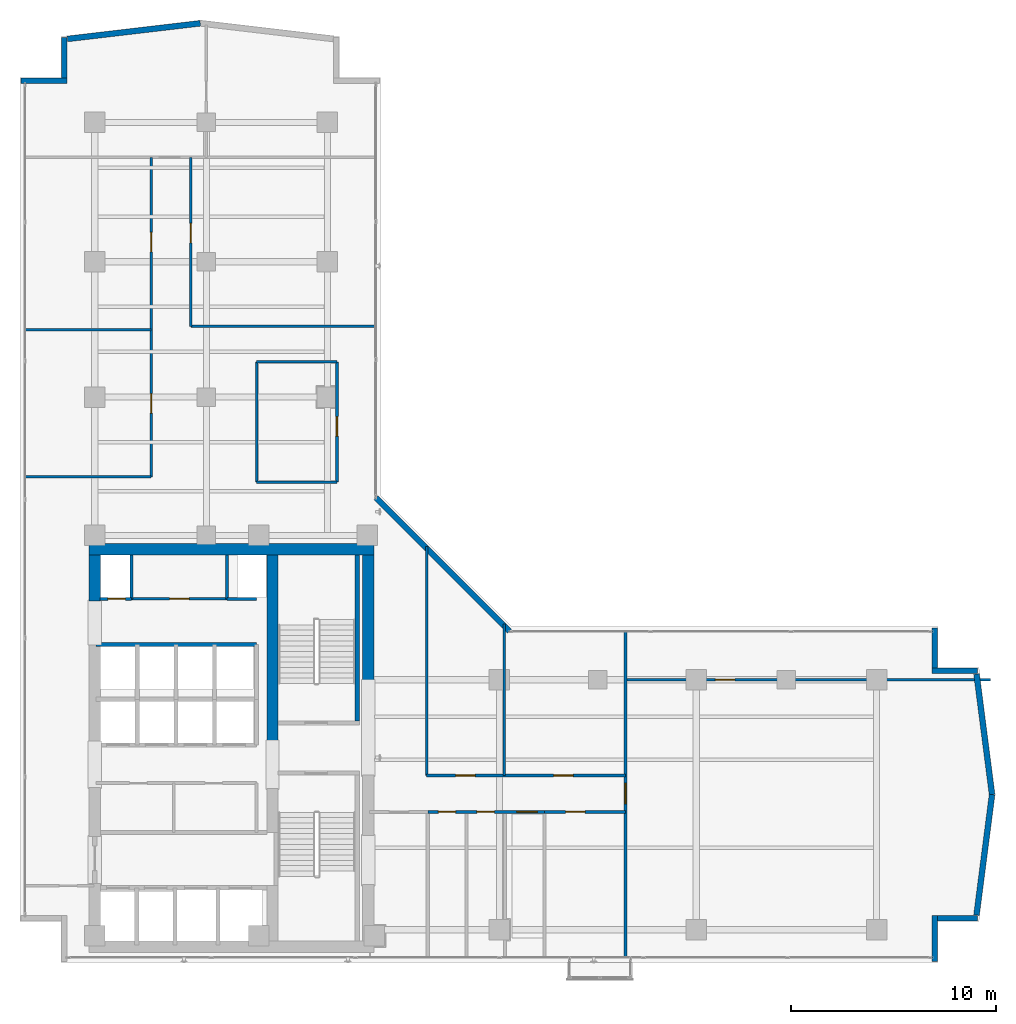
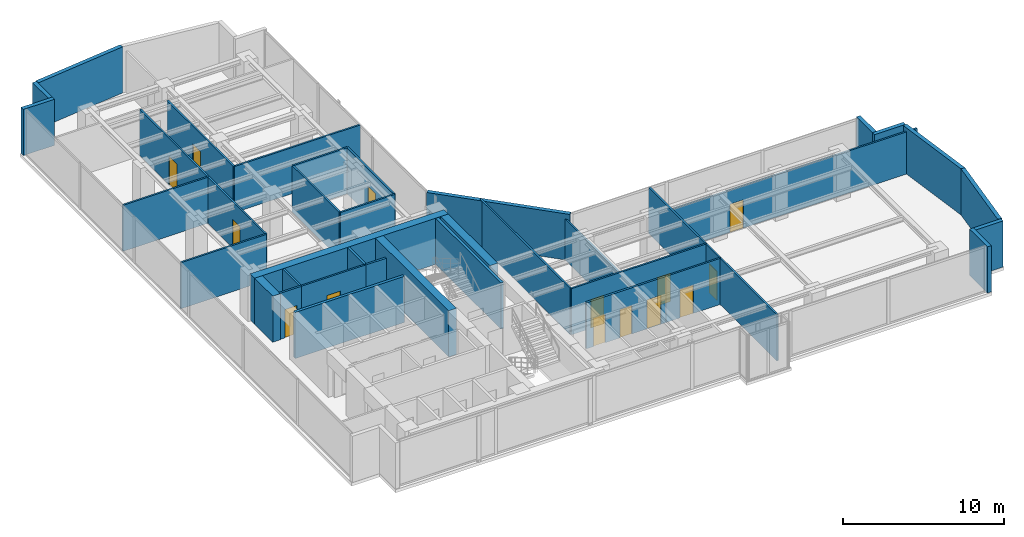
# One storey, part 18 of 22: 37 walls, 14 doors, 14 openings.
"""IFC4 building model written with IfcOpenShell, lengths in metres."""

from ifc_helpers import new_model, si_unit, direction, frame, frame_2d, origin, place, context, subcontext, project, spatial, rectangle, extrude, material, layer, layer_set, type_object, element, fill, save


model = new_model("IFC4")

# Units and contexts
model_context = context("Model", 3, precision=1e-05, world=origin(), true_north=direction((0.0, 1.0)))
body_context = subcontext(model_context, "Body", "Model", "MODEL_VIEW")
ifc_project = project(units=[si_unit("LENGTHUNIT", "METRE"), si_unit("AREAUNIT", "SQUARE_METRE"), si_unit("VOLUMEUNIT", "CUBIC_METRE"), si_unit("PLANEANGLEUNIT", "RADIAN"), si_unit("MASSUNIT", "GRAM", prefix="KILO")], contexts=[model_context])

# Site, building, storey
site_placement = place(None, origin())
site = spatial("IfcSite", under=ifc_project, at=site_placement, CompositionType="ELEMENT")
building_placement = place(site_placement, origin())
building = spatial("IfcBuilding", under=site, at=building_placement, Name="Kolvaren Waterfront Exchange", CompositionType="ELEMENT")
storey_placement = place(building_placement, frame((0.0, 0.0, 219.699951171875)))
storey = spatial("IfcBuildingStorey", under=building, at=storey_placement, Name="L56", CompositionType="ELEMENT", Elevation=219.699951171875)

# Walls
ifc_material_1 = material(Name="Precast concrete C40/50", Category="concrete")
ifc_layer_1 = layer(ifc_material_1, 0.280029296875, Name="Precast concrete C40/50")
ifc_layer_set_1 = layer_set([ifc_layer_1], Name="Precast concrete C40/50")
wall_type_1 = type_object("IfcWallType", Name="ARC-EXT-TERR-280", PredefinedType="SOLIDWALL", material=ifc_layer_set_1)
wall_1_placement = place(storey_placement, frame((48.43994140625, 3.659912109375, 0.0), z_axis=(0.0, 0.0, 1.0), x_axis=(0.0, 1.0, 0.0)))
element("IfcWall", 1, at=wall_1_placement, inside=storey, type_object=wall_type_1, Name="L56 notched corner spandrel pier SE-A", PredefinedType="SOLIDWALL", context=body_context, shape_type="SweptSolid", body=[
    extrude(rectangle(XDim=2.239990234375, YDim=0.280029296875, at=frame_2d((1.1201171875, 0.0))), origin(), (0.0, 0.0, 1.0), 3.5),
])
wall_2_placement = place(storey_placement, frame((48.580078125, 5.760009765625, 0.0), z_axis=(0.0, 0.0, 1.0), x_axis=(1.0, 0.0, 0.0)))
element("IfcWall", 2, at=wall_2_placement, inside=storey, type_object=wall_type_1, Name="L56 notched corner spandrel pier SE-B", PredefinedType="SOLIDWALL", context=body_context, shape_type="SweptSolid", body=[
    extrude(rectangle(XDim=1.9599609375, YDim=0.280029296875, at=frame_2d((0.97998046875, 0.0))), origin(), (0.0, 0.0, 1.0), 3.5),
])
wall_3_placement = place(storey_placement, frame((48.43994140625, 17.965087890625, 0.0), z_axis=(0.0, 0.0, 1.0), x_axis=(0.0, 1.0, 0.0)))
element("IfcWall", 3, at=wall_3_placement, inside=storey, type_object=wall_type_1, Name="L56 notched corner spandrel pier ENE-A", PredefinedType="SOLIDWALL", context=body_context, shape_type="SweptSolid", body=[
    extrude(rectangle(XDim=1.974853515625, YDim=0.280029296875, at=frame_2d((0.9873046875, 0.0))), origin(), (0.0, 0.0, 1.0), 3.5),
])
for number, where, z_axis, x_axis, name in (
    (4, (48.300048828125, 17.840087890625, 0.0), (0.0, 0.0, 1.0), (1.0, 0.0, 0.0), "L56 notched corner spandrel pier ENE-B"),
    (5, (3.860107421875, 46.639892578125, 0.0), (0.0, 0.0, 1.0), (1.0, 0.0, 0.0), "L56 notched corner spandrel pier NW-A"),
):
    element("IfcWall", number, at=place(storey_placement, frame(where, z_axis=z_axis, x_axis=x_axis)), inside=storey, type_object=wall_type_1, Name=name, PredefinedType="SOLIDWALL", context=body_context, shape_type="SweptSolid", body=[
        extrude(rectangle(XDim=2.239990234375, YDim=0.280029296875, at=frame_2d((1.1201171875, 0.0))), origin(), (0.0, 0.0, 1.0), 3.5),
    ])
wall_4_placement = place(storey_placement, frame((5.9599609375, 46.780029296875, 0.0), z_axis=(0.0, 0.0, 1.0), x_axis=(0.0, 1.0, 0.0)))
element("IfcWall", 6, at=wall_4_placement, inside=storey, type_object=wall_type_1, Name="L56 notched corner spandrel pier NW-B", PredefinedType="SOLIDWALL", context=body_context, shape_type="SweptSolid", body=[
    extrude(rectangle(XDim=1.9599609375, YDim=0.280029296875, at=frame_2d((0.97998046875, 0.0))), origin(), (0.0, 0.0, 1.0), 3.5),
])
wall_5_placement = place(storey_placement, frame((27.68505859375, 19.77490234375, 0.0), z_axis=(0.0, 0.0, 1.0), x_axis=(-0.707106781187, 0.707106781187, 0.0)))
element("IfcWall", 7, at=wall_5_placement, inside=storey, type_object=wall_type_1, Name="L56 notched corner spandrel pier ELBOW", PredefinedType="SOLIDWALL", context=body_context, shape_type="SweptSolid", body=[
    extrude(rectangle(XDim=9.20654296875, YDim=0.280029296875, at=frame_2d((4.603271484375, 0.0))), origin(), (0.0, 0.0, 1.0), 3.5),
])
for number, where, z_axis, x_axis, name in (
    (8, (50.479736328125, 5.91796875, 0.0), (0.0, 0.0, 1.0), (0.127970031595, 0.991778035154, 0.0), "L56 east prow faceted facade wall 1"),
    (9, (51.23876953125, 11.79931640625, 0.0), (0.0, 0.0, 1.0), (-0.127970031595, 0.991778035154, 0.0), "L56 east prow faceted facade wall 2"),
):
    element("IfcWall", number, at=place(storey_placement, frame(where, z_axis=z_axis, x_axis=x_axis)), inside=storey, type_object=wall_type_1, Name=name, PredefinedType="SOLIDWALL", context=body_context, shape_type="SweptSolid", body=[
        extrude(rectangle(XDim=5.931396484375, YDim=0.280029296875, at=frame_2d((2.9658203125, 0.0))), origin(), (0.0, 0.0, 1.0), 3.5),
    ])
wall_6_placement = place(storey_placement, frame((12.598876953125, 49.438720703125, 0.0), z_axis=(0.0, 0.0, 1.0), x_axis=(-0.993149072278, -0.11685426921, 0.0)))
element("IfcWall", 10, at=wall_6_placement, inside=storey, type_object=wall_type_1, Name="L56 north prow faceted facade wall 2", PredefinedType="SOLIDWALL", context=body_context, shape_type="SweptSolid", body=[
    extrude(rectangle(XDim=6.52685546875, YDim=0.280029296875, at=frame_2d((3.263427734375, 0.0))), origin(), (0.0, 0.0, 1.0), 3.5),
])

# Wall, opening, door
ifc_material_2 = material(Name="Acoustic gypsum steel stud", Category="steel")
ifc_layer_2 = layer(ifc_material_2, 0.125, Name="Acoustic gypsum steel stud")
ifc_layer_set_2 = layer_set([ifc_layer_2], Name="Acoustic gypsum steel stud")
wall_type_2 = type_object("IfcWallType", Name="ARC-PART-125", PredefinedType="PARTITIONING", material=ifc_layer_set_2)
wall_7_placement = place(storey_placement, frame((9.25, 21.35009765625, 0.0), z_axis=(0.0, 0.0, 1.0), x_axis=(1.0, 0.0, 0.0)))
wall_7 = element("IfcWall", 11, at=wall_7_placement, inside=storey, type_object=wall_type_2, Name="L56 interior wall PW-L56-SVC-EX-S", PredefinedType="PARTITIONING", context=body_context, shape_type="SweptSolid", body=[
    extrude(rectangle(XDim=4.64990234375, YDim=0.125, at=frame_2d((2.324951171875, 0.0))), origin(), (0.0, 0.0, 1.0), 3.5),
])
opening_1_placement = place(wall_7_placement, frame((1.85009765625, 0.0, 0.0)))
opening_1 = element("IfcOpeningElement", 12, at=opening_1_placement, cuts=wall_7, Name="Opening D02", PredefinedType="OPENING", context=body_context, shape_type="SweptSolid", body=[
    extrude(rectangle(XDim=0.949951171875, YDim=2.14990234375, at=frame_2d((0.47509765625, 1.074951171875))), frame((0.0, 0.072509765625, 0.0), z_axis=(0.0, -1.0, 0.0), x_axis=(1.0, 0.0, 0.0)), (0.0, 0.0, 1.0), 0.14501953125),
])
ifc_material_3 = material(Name="Oak veneer acoustic timber", Category="wood")
door_type_1 = type_object("IfcDoorType", Name="ARC-DR-950", OperationType="NOTDEFINED", PredefinedType="DOOR", material=ifc_material_3)
door_1_placement = place(opening_1_placement, origin())
door_1 = element("IfcDoor", 13, at=door_1_placement, inside=storey, type_object=door_type_1, Name="L56 door DR-L56-SVC-DR-1 (D02)", OperationType="SINGLE_SWING_LEFT", OverallHeight=2.14990234375, OverallWidth=0.949951171875, PredefinedType="DOOR", context=body_context, shape_type="SweptSolid", body=[
    extrude(rectangle(XDim=0.949951171875, YDim=2.14990234375, at=frame_2d((0.47509765625, 1.074951171875))), frame((0.0, 0.02490234375, 0.0), z_axis=(0.0, -1.0, 0.0), x_axis=(1.0, 0.0, 0.0)), (0.0, 0.0, 1.0), 0.050048828125),
])
fill(opening_1, door_1)

# Walls
for number, where, z_axis, x_axis, name in (
    (14, (15.35009765625, 27.050048828125, 0.0), (0.0, 0.0, 1.0), (1.0, 0.0, 0.0), "L56 interior wall PW-L56-ISL-S"),
    (15, (15.35009765625, 32.919921875, 0.0), (0.0, 0.0, 1.0), (1.0, 0.0, 0.0), "L56 interior wall PW-L56-ISL-N"),
):
    element("IfcWall", number, at=place(storey_placement, frame(where, z_axis=z_axis, x_axis=x_axis)), inside=storey, type_object=wall_type_2, Name=name, PredefinedType="PARTITIONING", context=body_context, shape_type="SweptSolid", body=[
        extrude(rectangle(XDim=3.919921875, YDim=0.125, at=frame_2d((1.9599609375, 0.0))), origin(), (0.0, 0.0, 1.0), 3.5),
    ])
wall_8_placement = place(storey_placement, frame((15.35009765625, 27.050048828125, 0.0), z_axis=(0.0, 0.0, 1.0), x_axis=(0.0, 1.0, 0.0)))
element("IfcWall", 16, at=wall_8_placement, inside=storey, type_object=wall_type_2, Name="L56 interior wall PW-L56-ISL-W", PredefinedType="PARTITIONING", context=body_context, shape_type="SweptSolid", body=[
    extrude(rectangle(XDim=5.869873046875, YDim=0.125, at=frame_2d((2.93505859375, 0.0))), origin(), (0.0, 0.0, 1.0), 3.5),
])

# Wall, opening, door
wall_9_placement = place(storey_placement, frame((19.27001953125, 27.050048828125, 0.0), z_axis=(0.0, 0.0, 1.0), x_axis=(0.0, 1.0, 0.0)))
wall_9 = element("IfcWall", 17, at=wall_9_placement, inside=storey, type_object=wall_type_2, Name="L56 interior wall PW-L56-ISL-E", PredefinedType="PARTITIONING", context=body_context, shape_type="SweptSolid", body=[
    extrude(rectangle(XDim=5.869873046875, YDim=0.125, at=frame_2d((2.93505859375, 0.0))), origin(), (0.0, 0.0, 1.0), 3.5),
])
opening_2_placement = place(wall_9_placement, frame((2.247802734375, 0.0, 0.0)))
opening_2 = element("IfcOpeningElement", 18, at=opening_2_placement, cuts=wall_9, Name="Opening D02", PredefinedType="OPENING", context=body_context, shape_type="SweptSolid", body=[
    extrude(rectangle(XDim=0.949951171875, YDim=2.14990234375, at=frame_2d((0.47509765625, 1.074951171875))), frame((0.0, 0.072509765625, 0.0), z_axis=(0.0, -1.0, 0.0), x_axis=(1.0, 0.0, 0.0)), (0.0, 0.0, 1.0), 0.14501953125),
])
door_2_placement = place(opening_2_placement, origin())
door_2 = element("IfcDoor", 19, at=door_2_placement, inside=storey, type_object=door_type_1, Name="L56 door DR-L56-ISL-D (D02)", OperationType="SINGLE_SWING_RIGHT", OverallHeight=2.14990234375, OverallWidth=0.949951171875, PredefinedType="DOOR", context=body_context, shape_type="SweptSolid", body=[
    extrude(rectangle(XDim=0.949951171875, YDim=2.14990234375, at=frame_2d((0.47509765625, 1.074951171875))), frame((0.0, 0.02490234375, 0.0), z_axis=(0.0, -1.0, 0.0), x_axis=(1.0, 0.0, 0.0)), (0.0, 0.0, 1.0), 0.050048828125),
])
fill(opening_2, door_2)

wall_10_placement = place(storey_placement, frame((29.39990234375, 10.949951171875, 0.0), z_axis=(0.0, 0.0, 1.0), x_axis=(1.0, 0.0, 0.0)))
wall_10 = element("IfcWall", 20, at=wall_10_placement, inside=storey, type_object=wall_type_2, Name="L56 interior wall PW-L56-ES-CORR", PredefinedType="PARTITIONING", context=body_context, shape_type="SweptSolid", body=[
    extrude(rectangle(XDim=3.9501953125, YDim=0.125, at=frame_2d((1.97509765625, 0.0))), origin(), (0.0, 0.0, 1.0), 3.5),
])
opening_3_placement = place(wall_10_placement, frame((1.02490234375, 0.0, 0.0)))
opening_3 = element("IfcOpeningElement", 21, at=opening_3_placement, cuts=wall_10, Name="Opening D02", PredefinedType="OPENING", context=body_context, shape_type="SweptSolid", body=[
    extrude(rectangle(XDim=0.949951171875, YDim=2.14990234375, at=frame_2d((0.47509765625, 1.074951171875))), frame((0.0, 0.072509765625, 0.0), z_axis=(0.0, -1.0, 0.0), x_axis=(1.0, 0.0, 0.0)), (0.0, 0.0, 1.0), 0.14501953125),
])
door_3_placement = place(opening_3_placement, origin())
door_3 = element("IfcDoor", 22, at=door_3_placement, inside=storey, type_object=door_type_1, Name="L56 door DR-L56-ES-D-1 (D02)", OperationType="SINGLE_SWING_RIGHT", OverallHeight=2.14990234375, OverallWidth=0.949951171875, PredefinedType="DOOR", context=body_context, shape_type="SweptSolid", body=[
    extrude(rectangle(XDim=0.949951171875, YDim=2.14990234375, at=frame_2d((0.47509765625, 1.074951171875))), frame((0.0, 0.02490234375, 0.0), z_axis=(0.0, -1.0, 0.0), x_axis=(1.0, 0.0, 0.0)), (0.0, 0.0, 1.0), 0.050048828125),
])
fill(opening_3, door_3)

wall_11_placement = place(storey_placement, frame((33.35009765625, 3.840087890625, 0.0), z_axis=(0.0, 0.0, 1.0), x_axis=(0.0, 1.0, 0.0)))
wall_11 = element("IfcWall", 23, at=wall_11_placement, inside=storey, type_object=wall_type_2, Name="L56 interior wall PW-L56-ETIP-W", PredefinedType="PARTITIONING", context=body_context, shape_type="SweptSolid", body=[
    extrude(rectangle(XDim=15.919921875, YDim=0.125, at=frame_2d((7.9599609375, 0.0))), origin(), (0.0, 0.0, 1.0), 3.5),
])
opening_4_placement = place(wall_11_placement, frame((7.5, 0.0, 0.0)))
opening_4 = element("IfcOpeningElement", 24, at=opening_4_placement, cuts=wall_11, Name="Opening D03", PredefinedType="OPENING", context=body_context, shape_type="SweptSolid", body=[
    extrude(rectangle(XDim=1.0, YDim=2.199951171875, at=frame_2d((0.5, 1.10009765625))), frame((0.0, 0.072509765625, 0.0), z_axis=(0.0, -1.0, 0.0), x_axis=(1.0, 0.0, 0.0)), (0.0, 0.0, 1.0), 0.14501953125),
])
ifc_material_4 = material(Name="Oak veneer accessible timber", Category="wood")
door_type_2 = type_object("IfcDoorType", Name="ARC-DR-1000", OperationType="NOTDEFINED", PredefinedType="DOOR", material=ifc_material_4)
door_4_placement = place(opening_4_placement, origin())
door_4 = element("IfcDoor", 25, at=door_4_placement, inside=storey, type_object=door_type_2, Name="L56 door DR-L56-ETIP1-D (D03)", OperationType="SINGLE_SWING_LEFT", OverallHeight=2.199951171875, OverallWidth=1.0, PredefinedType="DOOR", context=body_context, shape_type="SweptSolid", body=[
    extrude(rectangle(XDim=1.0, YDim=2.199951171875, at=frame_2d((0.5, 1.10009765625))), frame((0.0, 0.02490234375, 0.0), z_axis=(0.0, -1.0, 0.0), x_axis=(1.0, 0.0, 0.0)), (0.0, 0.0, 1.0), 0.050048828125),
])
fill(opening_4, door_4)

wall_12_placement = place(storey_placement, frame((33.35009765625, 17.39990234375, 0.0), z_axis=(0.0, 0.0, 1.0), x_axis=(1.0, 0.0, 0.0)))
wall_12 = element("IfcWall", 26, at=wall_12_placement, inside=storey, type_object=wall_type_2, Name="L56 interior wall PW-L56-ETIP-MID", PredefinedType="PARTITIONING", context=body_context, shape_type="SweptSolid", body=[
    extrude(rectangle(XDim=17.809814453125, YDim=0.125, at=frame_2d((8.90478515625, 0.0))), origin(), (0.0, 0.0, 1.0), 3.199951171875),
])
opening_5_placement = place(wall_12_placement, frame((4.387451171875, 0.0, 0.0)))
opening_5 = element("IfcOpeningElement", 27, at=opening_5_placement, cuts=wall_12, Name="Opening D02", PredefinedType="OPENING", context=body_context, shape_type="SweptSolid", body=[
    extrude(rectangle(XDim=0.949951171875, YDim=2.14990234375, at=frame_2d((0.47509765625, 1.074951171875))), frame((0.0, 0.072509765625, 0.0), z_axis=(0.0, -1.0, 0.0), x_axis=(1.0, 0.0, 0.0)), (0.0, 0.0, 1.0), 0.14501953125),
])
door_5_placement = place(opening_5_placement, origin())
door_5 = element("IfcDoor", 28, at=door_5_placement, inside=storey, type_object=door_type_1, Name="L56 door DR-L56-ETIP2-D (D02)", OperationType="SINGLE_SWING_RIGHT", OverallHeight=2.14990234375, OverallWidth=0.949951171875, PredefinedType="DOOR", context=body_context, shape_type="SweptSolid", body=[
    extrude(rectangle(XDim=0.949951171875, YDim=2.14990234375, at=frame_2d((0.47509765625, 1.074951171875))), frame((0.0, 0.02490234375, 0.0), z_axis=(0.0, -1.0, 0.0), x_axis=(1.0, 0.0, 0.0)), (0.0, 0.0, 1.0), 0.050048828125),
])
fill(opening_5, door_5)

# Wall
wall_13_placement = place(storey_placement, frame((23.64990234375, 12.72998046875, 0.0), z_axis=(0.0, 0.0, 1.0), x_axis=(0.0, 1.0, 0.0)))
element("IfcWall", 29, at=wall_13_placement, inside=storey, type_object=wall_type_2, Name="L56 interior wall PW-L56-EN-W0", PredefinedType="PARTITIONING", context=body_context, shape_type="SweptSolid", body=[
    extrude(rectangle(XDim=11.179931640625, YDim=0.125, at=frame_2d((5.58984375, 0.0))), origin(), (0.0, 0.0, 1.0), 3.5),
])

# Wall, openings, doors
wall_14_placement = place(storey_placement, frame((23.64990234375, 12.72998046875, 0.0), z_axis=(0.0, 0.0, 1.0), x_axis=(1.0, 0.0, 0.0)))
wall_14 = element("IfcWall", 30, at=wall_14_placement, inside=storey, type_object=wall_type_2, Name="L56 interior wall PW-L56-EN-CORR", PredefinedType="PARTITIONING", context=body_context, shape_type="SweptSolid", body=[
    extrude(rectangle(XDim=9.7001953125, YDim=0.125, at=frame_2d((4.85009765625, 0.0))), origin(), (0.0, 0.0, 1.0), 3.5),
])
opening_6_placement = place(wall_14_placement, frame((1.4150390625, 0.0, 0.0)))
opening_6 = element("IfcOpeningElement", 31, at=opening_6_placement, cuts=wall_14, Name="Opening D02", PredefinedType="OPENING", context=body_context, shape_type="SweptSolid", body=[
    extrude(rectangle(XDim=0.949951171875, YDim=2.14990234375, at=frame_2d((0.47509765625, 1.074951171875))), frame((0.0, 0.072509765625, 0.0), z_axis=(0.0, -1.0, 0.0), x_axis=(1.0, 0.0, 0.0)), (0.0, 0.0, 1.0), 0.14501953125),
])
opening_7_placement = place(wall_14_placement, frame((6.193115234375, 0.0, 0.0)))
opening_7 = element("IfcOpeningElement", 32, at=opening_7_placement, cuts=wall_14, Name="Opening D02", PredefinedType="OPENING", context=body_context, shape_type="SweptSolid", body=[
    extrude(rectangle(XDim=0.949951171875, YDim=2.14990234375, at=frame_2d((0.47509765625, 1.074951171875))), frame((0.0, 0.072509765625, 0.0), z_axis=(0.0, -1.0, 0.0), x_axis=(1.0, 0.0, 0.0)), (0.0, 0.0, 1.0), 0.14501953125),
])
door_6_placement = place(opening_6_placement, origin())
door_6 = element("IfcDoor", 33, at=door_6_placement, inside=storey, type_object=door_type_1, Name="L56 door DR-L56-EN-D-1 (D02)", OperationType="SINGLE_SWING_LEFT", OverallHeight=2.14990234375, OverallWidth=0.949951171875, PredefinedType="DOOR", context=body_context, shape_type="SweptSolid", body=[
    extrude(rectangle(XDim=0.949951171875, YDim=2.14990234375, at=frame_2d((0.47509765625, 1.074951171875))), frame((0.0, 0.02490234375, 0.0), z_axis=(0.0, -1.0, 0.0), x_axis=(1.0, 0.0, 0.0)), (0.0, 0.0, 1.0), 0.050048828125),
])
fill(opening_6, door_6)
door_7_placement = place(opening_7_placement, origin())
door_7 = element("IfcDoor", 34, at=door_7_placement, inside=storey, type_object=door_type_1, Name="L56 door DR-L56-EN-D-2 (D02)", OperationType="SINGLE_SWING_RIGHT", OverallHeight=2.14990234375, OverallWidth=0.949951171875, PredefinedType="DOOR", context=body_context, shape_type="SweptSolid", body=[
    extrude(rectangle(XDim=0.949951171875, YDim=2.14990234375, at=frame_2d((0.47509765625, 1.074951171875))), frame((0.0, 0.02490234375, 0.0), z_axis=(0.0, -1.0, 0.0), x_axis=(1.0, 0.0, 0.0)), (0.0, 0.0, 1.0), 0.050048828125),
])
fill(opening_7, door_7)

# Walls
wall_15_placement = place(storey_placement, frame((27.429931640625, 12.72998046875, 0.0), z_axis=(0.0, 0.0, 1.0), x_axis=(0.0, 1.0, 0.0)))
element("IfcWall", 35, at=wall_15_placement, inside=storey, type_object=wall_type_2, Name="L56 interior wall PW-L56-EN-DIV-1", PredefinedType="PARTITIONING", context=body_context, shape_type="SweptSolid", body=[
    extrude(rectangle(XDim=7.39990234375, YDim=0.125, at=frame_2d((3.699951171875, 0.0))), origin(), (0.0, 0.0, 1.0), 3.10009765625),
])
wall_16_placement = place(storey_placement, frame((4.0400390625, 27.300048828125, 0.0), z_axis=(0.0, 0.0, 1.0), x_axis=(1.0, 0.0, 0.0)))
element("IfcWall", 36, at=wall_16_placement, inside=storey, type_object=wall_type_2, Name="L56 interior wall PW-L56-NW-S0", PredefinedType="PARTITIONING", context=body_context, shape_type="SweptSolid", body=[
    extrude(rectangle(XDim=6.159912109375, YDim=0.125, at=frame_2d((3.080078125, 0.0))), origin(), (0.0, 0.0, 1.0), 3.5),
])

# Wall, openings, doors
wall_17_placement = place(storey_placement, frame((10.199951171875, 27.300048828125, 0.0), z_axis=(0.0, 0.0, 1.0), x_axis=(0.0, 1.0, 0.0)))
wall_17 = element("IfcWall", 37, at=wall_17_placement, inside=storey, type_object=wall_type_2, Name="L56 interior wall PW-L56-NW-CORR", PredefinedType="PARTITIONING", context=body_context, shape_type="SweptSolid", body=[
    extrude(rectangle(XDim=15.599853515625, YDim=0.125, at=frame_2d((7.7998046875, 0.0))), origin(), (0.0, 0.0, 1.0), 3.5),
])
opening_8_placement = place(wall_17_placement, frame((3.114990234375, 0.0, 0.0)))
opening_8 = element("IfcOpeningElement", 38, at=opening_8_placement, cuts=wall_17, Name="Opening D02", PredefinedType="OPENING", context=body_context, shape_type="SweptSolid", body=[
    extrude(rectangle(XDim=0.949951171875, YDim=2.14990234375, at=frame_2d((0.47509765625, 1.074951171875))), frame((0.0, 0.072509765625, 0.0), z_axis=(0.0, -1.0, 0.0), x_axis=(1.0, 0.0, 0.0)), (0.0, 0.0, 1.0), 0.14501953125),
])
opening_9_placement = place(wall_17_placement, frame((10.986083984375, 0.0, 0.0)))
opening_9 = element("IfcOpeningElement", 39, at=opening_9_placement, cuts=wall_17, Name="Opening D02", PredefinedType="OPENING", context=body_context, shape_type="SweptSolid", body=[
    extrude(rectangle(XDim=0.949951171875, YDim=2.14990234375, at=frame_2d((0.47509765625, 1.074951171875))), frame((0.0, 0.072509765625, 0.0), z_axis=(0.0, -1.0, 0.0), x_axis=(1.0, 0.0, 0.0)), (0.0, 0.0, 1.0), 0.14501953125),
])
door_8_placement = place(opening_8_placement, origin())
door_8 = element("IfcDoor", 40, at=door_8_placement, inside=storey, type_object=door_type_1, Name="L56 door DR-L56-NW-D-1 (D02)", OperationType="SINGLE_SWING_LEFT", OverallHeight=2.14990234375, OverallWidth=0.949951171875, PredefinedType="DOOR", context=body_context, shape_type="SweptSolid", body=[
    extrude(rectangle(XDim=0.949951171875, YDim=2.14990234375, at=frame_2d((0.47509765625, 1.074951171875))), frame((0.0, 0.02490234375, 0.0), z_axis=(0.0, -1.0, 0.0), x_axis=(1.0, 0.0, 0.0)), (0.0, 0.0, 1.0), 0.050048828125),
])
fill(opening_8, door_8)
door_9_placement = place(opening_9_placement, origin())
door_9 = element("IfcDoor", 41, at=door_9_placement, inside=storey, type_object=door_type_1, Name="L56 door DR-L56-NW-D-2 (D02)", OperationType="SINGLE_SWING_RIGHT", OverallHeight=2.14990234375, OverallWidth=0.949951171875, PredefinedType="DOOR", context=body_context, shape_type="SweptSolid", body=[
    extrude(rectangle(XDim=0.949951171875, YDim=2.14990234375, at=frame_2d((0.47509765625, 1.074951171875))), frame((0.0, 0.02490234375, 0.0), z_axis=(0.0, -1.0, 0.0), x_axis=(1.0, 0.0, 0.0)), (0.0, 0.0, 1.0), 0.050048828125),
])
fill(opening_9, door_9)

# Walls
wall_18_placement = place(storey_placement, frame((4.0400390625, 34.47998046875, 0.0), z_axis=(0.0, 0.0, 1.0), x_axis=(1.0, 0.0, 0.0)))
element("IfcWall", 42, at=wall_18_placement, inside=storey, type_object=wall_type_2, Name="L56 interior wall PW-L56-NW-DIV-1", PredefinedType="PARTITIONING", context=body_context, shape_type="SweptSolid", body=[
    extrude(rectangle(XDim=6.159912109375, YDim=0.125, at=frame_2d((3.080078125, 0.0))), origin(), (0.0, 0.0, 1.0), 3.5),
])
wall_19_placement = place(storey_placement, frame((12.139892578125, 34.64990234375, 0.0), z_axis=(0.0, 0.0, 1.0), x_axis=(1.0, 0.0, 0.0)))
element("IfcWall", 43, at=wall_19_placement, inside=storey, type_object=wall_type_2, Name="L56 interior wall PW-L56-NE-S0", PredefinedType="PARTITIONING", context=body_context, shape_type="SweptSolid", body=[
    extrude(rectangle(XDim=9.02001953125, YDim=0.125, at=frame_2d((4.510009765625, 0.0))), origin(), (0.0, 0.0, 1.0), 3.5),
])

# Wall, opening, door
wall_20_placement = place(storey_placement, frame((12.139892578125, 34.64990234375, 0.0), z_axis=(0.0, 0.0, 1.0), x_axis=(0.0, 1.0, 0.0)))
wall_20 = element("IfcWall", 44, at=wall_20_placement, inside=storey, type_object=wall_type_2, Name="L56 interior wall PW-L56-NE-CORR", PredefinedType="PARTITIONING", context=body_context, shape_type="SweptSolid", body=[
    extrude(rectangle(XDim=8.25, YDim=0.125, at=frame_2d((4.125, 0.0))), origin(), (0.0, 0.0, 1.0), 3.5),
])
opening_10_placement = place(wall_20_placement, frame((4.073974609375, 0.0, 0.0)))
opening_10 = element("IfcOpeningElement", 45, at=opening_10_placement, cuts=wall_20, Name="Opening D02", PredefinedType="OPENING", context=body_context, shape_type="SweptSolid", body=[
    extrude(rectangle(XDim=0.949951171875, YDim=2.14990234375, at=frame_2d((0.47509765625, 1.074951171875))), frame((0.0, 0.072509765625, 0.0), z_axis=(0.0, -1.0, 0.0), x_axis=(1.0, 0.0, 0.0)), (0.0, 0.0, 1.0), 0.14501953125),
])
door_10_placement = place(opening_10_placement, origin())
door_10 = element("IfcDoor", 46, at=door_10_placement, inside=storey, type_object=door_type_1, Name="L56 door DR-L56-NE-D-1 (D02)", OperationType="SINGLE_SWING_LEFT", OverallHeight=2.14990234375, OverallWidth=0.949951171875, PredefinedType="DOOR", context=body_context, shape_type="SweptSolid", body=[
    extrude(rectangle(XDim=0.949951171875, YDim=2.14990234375, at=frame_2d((0.47509765625, 1.074951171875))), frame((0.0, 0.02490234375, 0.0), z_axis=(0.0, -1.0, 0.0), x_axis=(1.0, 0.0, 0.0)), (0.0, 0.0, 1.0), 0.050048828125),
])
fill(opening_10, door_10)

# Walls
ifc_material_5 = material(Name="Gypsum fireboard steel stud", Category="steel")
ifc_layer_3 = layer(ifc_material_5, 0.14990234375, Name="Gypsum fireboard steel stud")
ifc_layer_set_3 = layer_set([ifc_layer_3], Name="Gypsum fireboard steel stud")
wall_type_3 = type_object("IfcWallType", Name="ARC-PART-150", PredefinedType="PARTITIONING", material=ifc_layer_set_3)
for number, where, z_axis, x_axis, name in (
    (47, (9.25, 21.35009765625, 0.0), (0.0, 0.0, 1.0), (0.0, 1.0, 0.0), "L56 interior wall PW-L56-SVC-R1"),
    (48, (13.89990234375, 21.35009765625, 0.0), (0.0, 0.0, 1.0), (0.0, 1.0, 0.0), "L56 interior wall PW-L56-SVC-R2"),
):
    element("IfcWall", number, at=place(storey_placement, frame(where, z_axis=z_axis, x_axis=x_axis)), inside=storey, type_object=wall_type_3, Name=name, PredefinedType="PARTITIONING", context=body_context, shape_type="SweptSolid", body=[
        extrude(rectangle(XDim=2.1298828125, YDim=0.14990234375, at=frame_2d((1.06494140625, 0.0))), origin(), (0.0, 0.0, 1.0), 3.5),
    ])

# Wall, opening, door
wall_21_placement = place(storey_placement, frame((7.699951171875, 21.35009765625, 0.0), z_axis=(0.0, 0.0, 1.0), x_axis=(1.0, 0.0, 0.0)))
wall_21 = element("IfcWall", 49, at=wall_21_placement, inside=storey, type_object=wall_type_3, Name="L56 interior wall PW-L56-SVC-RE-S", PredefinedType="PARTITIONING", context=body_context, shape_type="SweptSolid", body=[
    extrude(rectangle(XDim=1.550048828125, YDim=0.14990234375, at=frame_2d((0.77490234375, 0.0))), origin(), (0.0, 0.0, 1.0), 3.5),
])
opening_11_placement = place(wall_21_placement, frame((0.389892578125, 0.0, 0.0)))
opening_11 = element("IfcOpeningElement", 50, at=opening_11_placement, cuts=wall_21, Name="Opening FD1", PredefinedType="OPENING", context=body_context, shape_type="SweptSolid", body=[
    extrude(rectangle(XDim=0.85009765625, YDim=2.14990234375, at=frame_2d((0.425048828125, 1.074951171875))), frame((0.0, 0.0849609375, 0.0), z_axis=(0.0, -1.0, 0.0), x_axis=(1.0, 0.0, 0.0)), (0.0, 0.0, 1.0), 0.169921875),
])
ifc_material_6 = material(Name="Pressed steel fire leaf", Category="steel")
door_type_3 = type_object("IfcDoorType", Name="ARC-FD-900", OperationType="NOTDEFINED", PredefinedType="DOOR", material=ifc_material_6)
door_11_placement = place(opening_11_placement, origin())
door_11 = element("IfcDoor", 51, at=door_11_placement, inside=storey, type_object=door_type_3, Name="L56 door DR-L56-RISER-E-DR (FD1)", OperationType="SINGLE_SWING_RIGHT", OverallHeight=2.14990234375, OverallWidth=0.85009765625, PredefinedType="DOOR", context=body_context, shape_type="SweptSolid", body=[
    extrude(rectangle(XDim=0.85009765625, YDim=2.14990234375, at=frame_2d((0.425048828125, 1.074951171875))), frame((0.0, 0.02490234375, 0.0), z_axis=(0.0, -1.0, 0.0), x_axis=(1.0, 0.0, 0.0)), (0.0, 0.0, 1.0), 0.050048828125),
])
fill(opening_11, door_11)

# Wall
wall_22_placement = place(storey_placement, frame((13.89990234375, 21.35009765625, 0.0), z_axis=(0.0, 0.0, 1.0), x_axis=(1.0, 0.0, 0.0)))
element("IfcWall", 52, at=wall_22_placement, inside=storey, type_object=wall_type_3, Name="L56 interior wall PW-L56-SVC-RP-S", PredefinedType="PARTITIONING", context=body_context, shape_type="SweptSolid", body=[
    extrude(rectangle(XDim=1.4501953125, YDim=0.14990234375, at=frame_2d((0.72509765625, 0.0))), origin(), (0.0, 0.0, 1.0), 3.5),
])

# Wall, openings, doors
ifc_material_7 = material(Name="Moisture-resistant gypsum stud")
ifc_layer_4 = layer(ifc_material_7, 0.14990234375, Name="Moisture-resistant gypsum stud")
ifc_layer_set_4 = layer_set([ifc_layer_4], Name="Moisture-resistant gypsum stud")
wall_type_4 = type_object("IfcWallType", Name="ARC-PLUMB-150", PredefinedType="PLUMBINGWALL", material=ifc_layer_set_4)
wall_23_placement = place(storey_placement, frame((23.699951171875, 10.949951171875, 0.0), z_axis=(0.0, 0.0, 1.0), x_axis=(1.0, 0.0, 0.0)))
wall_23 = element("IfcWall", 53, at=wall_23_placement, inside=storey, type_object=wall_type_4, Name="L56 interior wall PW-L56-WC-N", PredefinedType="PLUMBINGWALL", context=body_context, shape_type="SweptSolid", body=[
    extrude(rectangle(XDim=5.699951171875, YDim=0.14990234375, at=frame_2d((2.85009765625, 0.0))), origin(), (0.0, 0.0, 1.0), 3.5),
])
opening_12_placement = place(wall_23_placement, frame((0.514892578125, 0.0, 0.0)))
opening_12 = element("IfcOpeningElement", 54, at=opening_12_placement, cuts=wall_23, Name="Opening D01", PredefinedType="OPENING", context=body_context, shape_type="SweptSolid", body=[
    extrude(rectangle(XDim=0.85009765625, YDim=2.14990234375, at=frame_2d((0.425048828125, 1.074951171875))), frame((0.0, 0.0849609375, 0.0), z_axis=(0.0, -1.0, 0.0), x_axis=(1.0, 0.0, 0.0)), (0.0, 0.0, 1.0), 0.169921875),
])
opening_13_placement = place(wall_23_placement, frame((2.39501953125, 0.0, 0.0)))
opening_13 = element("IfcOpeningElement", 55, at=opening_13_placement, cuts=wall_23, Name="Opening D01", PredefinedType="OPENING", context=body_context, shape_type="SweptSolid", body=[
    extrude(rectangle(XDim=0.85009765625, YDim=2.14990234375, at=frame_2d((0.425048828125, 1.074951171875))), frame((0.0, 0.0849609375, 0.0), z_axis=(0.0, -1.0, 0.0), x_axis=(1.0, 0.0, 0.0)), (0.0, 0.0, 1.0), 0.169921875),
])
opening_14_placement = place(wall_23_placement, frame((4.35009765625, 0.0, 0.0)))
opening_14 = element("IfcOpeningElement", 56, at=opening_14_placement, cuts=wall_23, Name="Opening D03", PredefinedType="OPENING", context=body_context, shape_type="SweptSolid", body=[
    extrude(rectangle(XDim=1.0, YDim=2.199951171875, at=frame_2d((0.5, 1.10009765625))), frame((0.0, 0.0849609375, 0.0), z_axis=(0.0, -1.0, 0.0), x_axis=(1.0, 0.0, 0.0)), (0.0, 0.0, 1.0), 0.169921875),
])
door_12_placement = place(opening_14_placement, origin())
door_12 = element("IfcDoor", 57, at=door_12_placement, inside=storey, type_object=door_type_2, Name="L56 door DR-L56-WCA-D (D03)", OperationType="SINGLE_SWING_LEFT", OverallHeight=2.199951171875, OverallWidth=1.0, PredefinedType="DOOR", context=body_context, shape_type="SweptSolid", body=[
    extrude(rectangle(XDim=1.0, YDim=2.199951171875, at=frame_2d((0.5, 1.10009765625))), frame((0.0, 0.02490234375, 0.0), z_axis=(0.0, -1.0, 0.0), x_axis=(1.0, 0.0, 0.0)), (0.0, 0.0, 1.0), 0.050048828125),
])
fill(opening_14, door_12)
ifc_material_8 = material(Name="Oak veneer timber leaf", Category="wood")
door_type_4 = type_object("IfcDoorType", Name="ARC-DR-900", OperationType="NOTDEFINED", PredefinedType="DOOR", material=ifc_material_8)
door_13_placement = place(opening_12_placement, origin())
door_13 = element("IfcDoor", 58, at=door_13_placement, inside=storey, type_object=door_type_4, Name="L56 door DR-L56-WCM-D (D01)", OperationType="SINGLE_SWING_LEFT", OverallHeight=2.14990234375, OverallWidth=0.85009765625, PredefinedType="DOOR", context=body_context, shape_type="SweptSolid", body=[
    extrude(rectangle(XDim=0.85009765625, YDim=2.14990234375, at=frame_2d((0.425048828125, 1.074951171875))), frame((0.0, 0.02490234375, 0.0), z_axis=(0.0, -1.0, 0.0), x_axis=(1.0, 0.0, 0.0)), (0.0, 0.0, 1.0), 0.050048828125),
])
fill(opening_12, door_13)
door_14_placement = place(opening_13_placement, origin())
door_14 = element("IfcDoor", 59, at=door_14_placement, inside=storey, type_object=door_type_4, Name="L56 door DR-L56-WCF-D (D01)", OperationType="SINGLE_SWING_RIGHT", OverallHeight=2.14990234375, OverallWidth=0.85009765625, PredefinedType="DOOR", context=body_context, shape_type="SweptSolid", body=[
    extrude(rectangle(XDim=0.85009765625, YDim=2.14990234375, at=frame_2d((0.425048828125, 1.074951171875))), frame((0.0, 0.02490234375, 0.0), z_axis=(0.0, -1.0, 0.0), x_axis=(1.0, 0.0, 0.0)), (0.0, 0.0, 1.0), 0.050048828125),
])
fill(opening_13, door_14)

# Walls
ifc_material_9 = material(Name="Concrete C40/50", Category="concrete")
ifc_layer_5 = layer(ifc_material_9, 0.199951171875, Name="Concrete C40/50")
ifc_layer_set_5 = layer_set([ifc_layer_5], Name="Concrete C40/50")
wall_type_5 = type_object("IfcWallType", Name="ARC-SHAFT-200", PredefinedType="PARTITIONING", material=ifc_layer_set_5)
wall_24_placement = place(storey_placement, frame((20.260009765625, 15.39990234375, 0.0), z_axis=(0.0, 0.0, 1.0), x_axis=(0.0, 1.0, 0.0)))
element("IfcWall", 60, at=wall_24_placement, inside=storey, type_object=wall_type_5, Name="L56 structural stairwell wall PW-L56-ST2-E", PredefinedType="SHEAR", context=body_context, shape_type="SweptSolid", body=[
    extrude(rectangle(XDim=8.090087890625, YDim=0.199951171875, at=frame_2d((4.044921875, 0.0))), origin(), (0.0, 0.0, 1.0), 3.5),
])
wall_25_placement = place(storey_placement, frame((7.5, 19.1201171875, 0.0), z_axis=(0.0, 0.0, 1.0), x_axis=(1.0, 0.0, 0.0)))
element("IfcWall", 61, at=wall_25_placement, inside=storey, type_object=wall_type_5, Name="L56 interior wall PW-L56-PH-N", PredefinedType="PARTITIONING", context=body_context, shape_type="SweptSolid", body=[
    extrude(rectangle(XDim=7.85009765625, YDim=0.199951171875, at=frame_2d((3.925048828125, 0.0))), origin(), (0.0, 0.0, 1.0), 3.5),
])
ifc_material_10 = material(Name="Concrete C50/60", Category="concrete")
ifc_layer_6 = layer(ifc_material_10, 0.550048828125, Name="Concrete C50/60")
ifc_layer_set_6 = layer_set([ifc_layer_6], Name="Concrete C50/60")
wall_type_6 = type_object("IfcWallType", Name="STR-CWALL-550", PredefinedType="SHEAR", material=ifc_layer_set_6)
wall_26_placement = place(storey_placement, frame((7.175048828125, 23.77490234375, 0.0), z_axis=(0.0, 0.0, 1.0), x_axis=(1.0, 0.0, 0.0)))
element("IfcWall", 62, at=wall_26_placement, inside=storey, type_object=wall_type_6, Name="L56 rear-core shear wall N", PredefinedType="SHEAR", context=body_context, shape_type="SweptSolid", body=[
    extrude(rectangle(XDim=13.89990234375, YDim=0.550048828125, at=frame_2d((6.949951171875, 0.0))), origin(), (0.0, 0.0, 1.0), 3.5),
])
wall_27_placement = place(storey_placement, frame((7.449951171875, 21.239990234375, 0.0), z_axis=(0.0, 0.0, 1.0), x_axis=(0.0, 1.0, 0.0)))
element("IfcWall", 63, at=wall_27_placement, inside=storey, type_object=wall_type_6, Name="L56 rear-core shear wall W3", PredefinedType="SHEAR", context=body_context, shape_type="SweptSolid", body=[
    extrude(rectangle(XDim=2.260009765625, YDim=0.550048828125, at=frame_2d((1.1298828125, 0.0))), origin(), (0.0, 0.0, 1.0), 3.5),
])
wall_28_placement = place(storey_placement, frame((20.800048828125, 17.35009765625, 0.0), z_axis=(0.0, 0.0, 1.0), x_axis=(0.0, 1.0, 0.0)))
element("IfcWall", 64, at=wall_28_placement, inside=storey, type_object=wall_type_6, Name="L56 rear-core shear wall E3", PredefinedType="SHEAR", context=body_context, shape_type="SweptSolid", body=[
    extrude(rectangle(XDim=6.14990234375, YDim=0.550048828125, at=frame_2d((3.074951171875, 0.0))), origin(), (0.0, 0.0, 1.0), 3.5),
])
wall_29_placement = place(storey_placement, frame((16.125, 14.39990234375, 0.0), z_axis=(0.0, 0.0, 1.0), x_axis=(0.0, 1.0, 0.0)))
element("IfcWall", 65, at=wall_29_placement, inside=storey, type_object=wall_type_6, Name="L56 rear-core shear wall M3", PredefinedType="SHEAR", context=body_context, shape_type="SweptSolid", body=[
    extrude(rectangle(XDim=9.10009765625, YDim=0.550048828125, at=frame_2d((4.550048828125, 0.0))), origin(), (0.0, 0.0, 1.0), 3.5),
])

save(model, "model.ifc")
